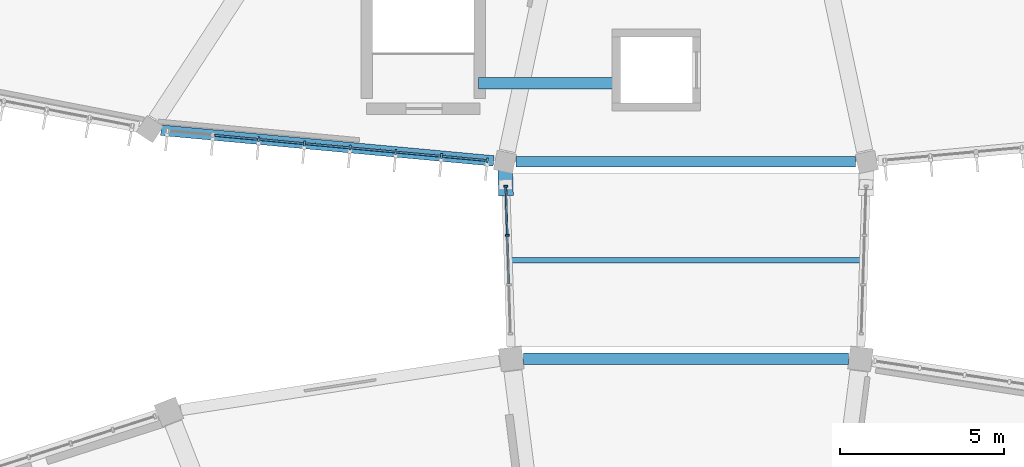
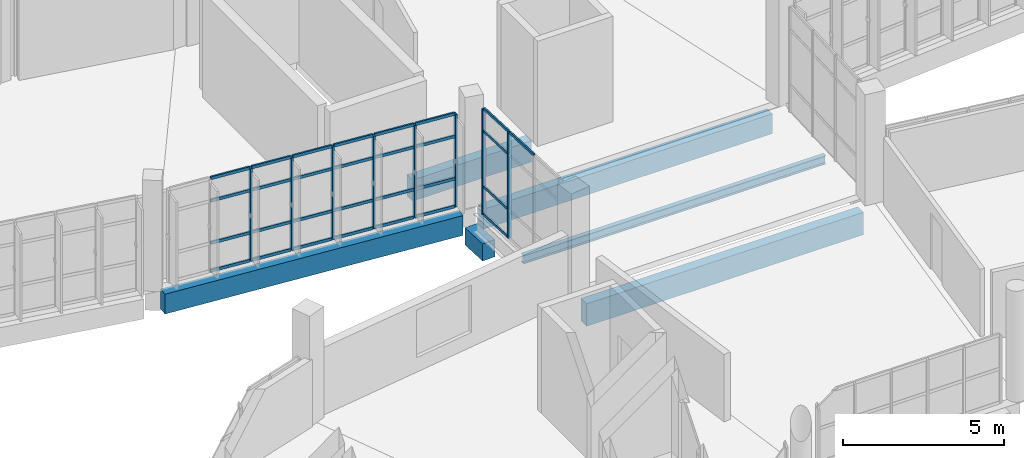
# One storey, part 31 of 142: 37 members, 6 beams, 2 elements without a shape of their own.
"""IFC4 building model written with IfcOpenShell, lengths in metres."""

import ifcopenshell
import ifcopenshell.guid

model = None  # the IFC model being written
_history = None  # IfcOwnerHistory: only IFC2X3 demands one
_inside = {}  # id of a spatial element -> (the spatial element, [elements in it])
_under = {}  # id of a project, library or spatial element -> (it, [spatial elements below it])
_declared = {}  # id of a project -> (the project, [libraries it declares])
_typed = {}  # id of a type object -> (the type object, [elements of that type])
_made_of = {}  # id of a material, layer set ... -> (it, [elements and type objects made of it])


def new_model(schema):
    """Start an empty IFC model of exactly this schema.

    Asked for "IFC4X3", IfcOpenShell would pick the latest addendum, in which some entities
    have other attributes; the version numbers below select the first issue.
    IFC2X3 requires an IfcOwnerHistory on every rooted entity: one is made here for all.
    """
    global model, _history
    if schema == "IFC4X3":
        model = ifcopenshell.file(schema_version=(4, 3, 0, 0))
    else:
        model = ifcopenshell.file(schema=schema)
    _inside.clear()
    _under.clear()
    _declared.clear()
    _typed.clear()
    _made_of.clear()
    _history = None
    if model.schema == "IFC2X3":
        org = make("IfcOrganization", Name="unknown")
        user = make(
            "IfcPersonAndOrganization",
            ThePerson=make("IfcPerson", FamilyName="unknown"),
            TheOrganization=org,
        )
        app = make(
            "IfcApplication",
            ApplicationDeveloper=org,
            Version="unknown",
            ApplicationFullName="unknown",
            ApplicationIdentifier="unknown",
        )
        _history = make(
            "IfcOwnerHistory",
            OwningUser=user,
            OwningApplication=app,
            ChangeAction="ADDED",
            CreationDate=0,
        )
    return model


def make(cls, **values):
    """One entity of the class cls with the attributes given. An attribute that is None is left unset."""
    return model.create_entity(
        cls, **{name: value for name, value in values.items() if value is not None}
    )


def rooted(cls, **values):
    """An entity with a GlobalId (a new one), such as an element, a storey or a relation."""
    return make(cls, GlobalId=ifcopenshell.guid.new(), OwnerHistory=_history, **values)


def si_unit(unit_type, name, prefix=None):
    """IfcSIUnit, for example si_unit("LENGTHUNIT", "METRE", prefix="MILLI")."""
    return make("IfcSIUnit", UnitType=unit_type, Prefix=prefix, Name=name)


def assignment(units):
    """IfcUnitAssignment: the units of a project."""
    return None if units is None else make("IfcUnitAssignment", Units=units)


def point(xyz):
    """IfcCartesianPoint."""
    return None if xyz is None else make("IfcCartesianPoint", Coordinates=xyz)


def direction(xyz):
    """IfcDirection."""
    return None if xyz is None else make("IfcDirection", DirectionRatios=xyz)


def frame(location, z_axis=None, x_axis=None):
    """IfcAxis2Placement3D, a coordinate frame: its origin and axes. An axis left out is left unset."""
    return make(
        "IfcAxis2Placement3D",
        Location=point(location),
        Axis=direction(z_axis),
        RefDirection=direction(x_axis),
    )


def frame_2d(location, x_axis=None):
    """IfcAxis2Placement2D, a coordinate frame in the plane: its origin and x axis."""
    return make(
        "IfcAxis2Placement2D", Location=point(location), RefDirection=direction(x_axis)
    )


def origin():
    """The frame at (0, 0, 0) with its axes left unset."""
    return frame((0.0, 0.0, 0.0))


def origin_2d():
    """The frame at (0, 0) in the plane with its x axis left unset."""
    return frame_2d((0.0, 0.0))


def place(relative_to, where):
    """IfcLocalPlacement: puts the frame where relative to a parent placement (None: the world)."""
    return make(
        "IfcLocalPlacement", PlacementRelTo=relative_to, RelativePlacement=where
    )


def context(
    kind, dimensions, precision=None, world=None, true_north=None, identifier=None
):
    """IfcGeometricRepresentationContext, for example the 3D "Model" context."""
    return make(
        "IfcGeometricRepresentationContext",
        ContextIdentifier=identifier,
        ContextType=kind,
        CoordinateSpaceDimension=dimensions,
        Precision=precision,
        WorldCoordinateSystem=world,
        TrueNorth=true_north,
    )


def subcontext(parent, identifier, kind, view, scale=None):
    """IfcGeometricRepresentationSubContext, for example "Body" below "Model"."""
    return make(
        "IfcGeometricRepresentationSubContext",
        ContextIdentifier=identifier,
        ContextType=kind,
        ParentContext=parent,
        TargetScale=scale,
        TargetView=view,
    )


def project(units=None, contexts=None):
    """IfcProject with its units and contexts."""
    return rooted(
        "IfcProject",
        Name="project",
        RepresentationContexts=contexts,
        UnitsInContext=assignment(units),
    )


def spatial(cls, under=None, at=None, **own):
    """A site, building, storey or space (cls), placed at a placement, below another one or the project."""
    s = rooted(cls, ObjectPlacement=at, **own)
    if under is not None:
        _under.setdefault(under.id(), (under, []))[1].append(s)
    return s


def profile(cls, at=None, kind="AREA", **sizes):
    """A parametric profile (cls). Its sizes go by their IFC names, for example OverallWidth=200.0."""
    return make(cls, ProfileType=kind, Position=at, **sizes)


def rectangle(**sizes):
    """IfcRectangleProfileDef."""
    return profile("IfcRectangleProfileDef", **sizes)


def i_section(**sizes):
    """IfcIShapeProfileDef."""
    return profile("IfcIShapeProfileDef", **sizes)


def extrude(swept, where, along, depth):
    """IfcExtrudedAreaSolid: the profile swept, set in the frame where, extruded along a direction by depth."""
    return make(
        "IfcExtrudedAreaSolid",
        SweptArea=swept,
        Position=where,
        ExtrudedDirection=direction(along),
        Depth=depth,
    )


def shape(context_of_items, identifier, shape_type, items):
    """IfcShapeRepresentation: the items that make up one representation, for example the "Body"."""
    return make(
        "IfcShapeRepresentation",
        ContextOfItems=context_of_items,
        RepresentationIdentifier=identifier,
        RepresentationType=shape_type,
        Items=items,
    )


def material(Name=None, Category=None):
    """IfcMaterial."""
    return make("IfcMaterial", Name=Name, Category=Category)


def layer(
    of_material, thickness, ventilated=None, Name=None, Category=None, Priority=None
):
    """IfcMaterialLayer: one layer of a wall or slab, of a material (None: an air gap)."""
    return make(
        "IfcMaterialLayer",
        Material=of_material,
        LayerThickness=thickness,
        IsVentilated=ventilated,
        Name=Name,
        Category=Category,
        Priority=Priority,
    )


def layer_set(layers, Name=None):
    """IfcMaterialLayerSet."""
    return make("IfcMaterialLayerSet", MaterialLayers=layers, LayerSetName=Name)


def material_profile(
    of_material, cross_section, Name=None, Category=None, Priority=None
):
    """IfcMaterialProfile: a cross section and its material."""
    return make(
        "IfcMaterialProfile",
        Name=Name,
        Material=of_material,
        Profile=cross_section,
        Priority=Priority,
        Category=Category,
    )


def profile_set(profiles, Name=None, composite=None):
    """IfcMaterialProfileSet."""
    return make(
        "IfcMaterialProfileSet",
        Name=Name,
        MaterialProfiles=profiles,
        CompositeProfile=composite,
    )


def made_of(thing, what):
    """Note that an element or type object is made of a material, layer set ...; save() writes the relation."""
    if what is not None:
        _made_of.setdefault(what.id(), (what, []))[1].append(thing)
    return thing


def type_object(cls, material=None, **own):
    """A type object (cls), such as IfcWallType, which elements share."""
    return made_of(rooted(cls, **own), material)


def element(
    cls,
    number,
    at=None,
    inside=None,
    cuts=None,
    type_object=None,
    material=None,
    context=None,
    identifier="Body",
    shape_type=None,
    held_by="IfcProductDefinitionShape",
    body=None,
    shapes=None,
    **own,
):
    """One element of the class cls, such as IfcWall. Its Tag is "e" and its number.

    at: its placement. inside: the storey or other place that contains it. cuts: it is an
    opening in that element (IfcRelVoidsElement). A single representation is given by context,
    identifier, shape_type and body (its items); several are given by shapes. held_by: the class
    of the entity that holds the representations. save() writes the other relations.
    """
    e = rooted(cls, Tag="e%d" % number, ObjectPlacement=at, **own)
    if body is not None:
        shapes = [shape(context, identifier, shape_type, body)]
    if shapes is not None:
        e.Representation = make(held_by, Representations=shapes)
    if inside is not None:
        _inside.setdefault(inside.id(), (inside, []))[1].append(e)
    if cuts is not None:
        rooted(
            "IfcRelVoidsElement", RelatingBuildingElement=cuts, RelatedOpeningElement=e
        )
    if type_object is not None:
        _typed.setdefault(type_object.id(), (type_object, []))[1].append(e)
    return made_of(e, material)


def aggregate(whole, parts):
    """IfcRelAggregates: a whole, such as a stair, and the parts it consists of."""
    return rooted("IfcRelAggregates", RelatingObject=whole, RelatedObjects=parts)


def save(model, path):
    """Write the relations noted so far, then the file.

    IfcRelAggregates (storeys below a building ...), IfcRelContainedInSpatialStructure (elements
    in a storey), IfcRelDefinesByType, IfcRelAssociatesMaterial and IfcRelDeclares: one each for
    every whole, place, type object, material and project.
    """
    for whole, parts in _under.values():
        aggregate(whole, parts)
    for where, things in _inside.values():
        rooted(
            "IfcRelContainedInSpatialStructure",
            RelatedElements=things,
            RelatingStructure=where,
        )
    for kind, things in _typed.values():
        rooted("IfcRelDefinesByType", RelatedObjects=things, RelatingType=kind)
    for what, things in _made_of.values():
        rooted("IfcRelAssociatesMaterial", RelatedObjects=things, RelatingMaterial=what)
    for by, libraries in _declared.values():
        rooted("IfcRelDeclares", RelatingContext=by, RelatedDefinitions=libraries)
    model.write(path)


model = new_model("IFC4")

# Units and contexts
model_context = context("Model", 3, precision=1e-05, world=origin(), true_north=direction((0.0, 1.0)))
body_context = subcontext(model_context, "Body", "Model", "MODEL_VIEW")
ifc_project = project(units=[si_unit("LENGTHUNIT", "METRE"), si_unit("AREAUNIT", "SQUARE_METRE"), si_unit("VOLUMEUNIT", "CUBIC_METRE"), si_unit("PLANEANGLEUNIT", "RADIAN"), si_unit("MASSUNIT", "GRAM", prefix="KILO")], contexts=[model_context])

# Site, building, storey
site_placement = place(None, origin())
site = spatial("IfcSite", under=ifc_project, at=site_placement, CompositionType="ELEMENT")
building_placement = place(site_placement, origin())
building = spatial("IfcBuilding", under=site, at=building_placement, Name="Corvandel Quay Wholesale Market", CompositionType="ELEMENT")
storey_placement = place(building_placement, frame((0.0, 0.0, 10.800048828125)))
storey = spatial("IfcBuildingStorey", under=building, at=storey_placement, Name="L02", CompositionType="ELEMENT", Elevation=10.800048828125)

# Beam
ifc_material_1 = material(Name="Steel A992 Grade 50", Category="steel")
ifc_material_profile_1 = material_profile(ifc_material_1, i_section(OverallWidth=0.1669921875, OverallDepth=0.318115234375, WebThickness=0.007568359375, FlangeThickness=0.01318359375, at=origin_2d()), Name="W12X35")
ifc_profile_set_1 = profile_set([ifc_material_profile_1], Name="Steel A992 Grade 50")
beam_type_1 = type_object("IfcBeamType", Name="Bridge Floor Steel Beam SB02 W12X35", PredefinedType="BEAM", material=ifc_profile_set_1)
beam_1_placement = place(storey_placement, frame((108.592041015625, 87.012451171875, -0.380126953125), z_axis=(1.0, 0.0, 0.0), x_axis=(0.0, 1.0, 0.0)))
element("IfcBeam", 1, at=beam_1_placement, inside=storey, type_object=beam_type_1, Name="Beam BM-1770", PredefinedType="BEAM", context=body_context, shape_type="SweptSolid", body=[
    extrude(i_section(OverallWidth=0.1669921875, OverallDepth=0.318115234375, WebThickness=0.007568359375, FlangeThickness=0.01318359375, at=origin_2d()), origin(), (0.0, 0.0, 1.0), 10.81591796875),
])

# Curtain wall, members
ifc_material_2 = material(Name="Bronze anodised aluminium and low-E insulated glazing", Category="aluminium")
ifc_layer_1 = layer(ifc_material_2, 0.18603515625)
ifc_layer_set_1 = layer_set([ifc_layer_1], Name="Bronze anodised aluminium and low-E insulated glazing")
curtain_wall_type_1 = type_object("IfcCurtainWallType", Name="Stick Curtain Wall System CW23 H5070", PredefinedType="NOTDEFINED", material=ifc_layer_set_1)
curtain_wall_1_placement = place(storey_placement, origin())
curtain_wall_1 = element("IfcCurtainWall", 2, at=curtain_wall_1_placement, inside=storey, type_object=curtain_wall_type_1, Name="Curtain Wall CW-0170", PredefinedType="NOTDEFINED")
ifc_material_3 = material(Name="Anodised aluminium 6063-T6", Category="aluminium")
ifc_material_profile_2 = material_profile(ifc_material_3, rectangle(XDim=0.06005859375, YDim=0.1298828125, at=origin_2d()), Name="ALU-MUL-60x130")
ifc_profile_set_2 = profile_set([ifc_material_profile_2], Name="Anodised aluminium 6063-T6")
member_type_1 = type_object("IfcMemberType", Name="Clerestory Mullion ML03 60x130", PredefinedType="MULLION", material=ifc_profile_set_2)
member_1_placement = place(storey_placement, frame((108.5576171875, 87.76171875, -0.030029296875), z_axis=(0.0, 0.0, 1.0), x_axis=(-0.032806302436, 0.999461728392, 0.0)))
member_1 = element("IfcMember", 3, at=member_1_placement, type_object=member_type_1, Name="Mullion CW-0170-M02", PredefinedType="MULLION", context=body_context, shape_type="SweptSolid", body=[
    extrude(rectangle(XDim=0.06005859375, YDim=0.1298828125, at=origin_2d()), origin(), (0.0, 0.0, 1.0), 4.0),
])
member_2_placement = place(storey_placement, frame((108.50830078125, 89.260498046875, -0.030029296875), z_axis=(0.0, 0.0, 1.0), x_axis=(-0.032806302436, 0.999461728392, 0.0)))
member_2 = element("IfcMember", 4, at=member_2_placement, type_object=member_type_1, Name="Mullion CW-0170-M03", PredefinedType="MULLION", context=body_context, shape_type="SweptSolid", body=[
    extrude(rectangle(XDim=0.06005859375, YDim=0.1298828125, at=origin_2d()), origin(), (0.0, 0.0, 1.0), 4.0),
])
ifc_material_profile_3 = material_profile(ifc_material_3, rectangle(XDim=0.054931640625, YDim=0.094970703125, at=origin_2d()), Name="ALU-TRN-55x95")
ifc_profile_set_3 = profile_set([ifc_material_profile_3], Name="Anodised aluminium 6063-T6")
member_type_2 = type_object("IfcMemberType", Name="Clerestory Transom TR03 55x95", PredefinedType="USERDEFINED", material=ifc_profile_set_3)
member_3_placement = place(storey_placement, frame((108.605712890625, 86.293212890625, 3.969970703125), z_axis=(-0.032738720515, 0.999463944412, 0.0), x_axis=(-0.999463944412, -0.032738720515, 0.0)))
member_3 = element("IfcMember", 5, at=member_3_placement, type_object=member_type_2, Name="Transom CW-0170-T01-3", ObjectType="TRANSOM", PredefinedType="USERDEFINED", context=body_context, shape_type="SweptSolid", body=[
    extrude(rectangle(XDim=0.054931640625, YDim=0.094970703125, at=origin_2d()), origin(), (0.0, 0.0, 1.0), 1.439208984375),
])
member_4_placement = place(storey_placement, frame((108.556396484375, 87.791748046875, -0.030029296875), z_axis=(-0.032733170941, 0.99946412618, 0.0), x_axis=(-0.99946412618, -0.032733170941, 0.0)))
member_4 = element("IfcMember", 6, at=member_4_placement, type_object=member_type_2, Name="Transom CW-0170-T02-0", ObjectType="TRANSOM", PredefinedType="USERDEFINED", context=body_context, shape_type="SweptSolid", body=[
    extrude(rectangle(XDim=0.054931640625, YDim=0.094970703125, at=origin_2d()), origin(), (0.0, 0.0, 1.0), 1.439453125),
])
member_5_placement = place(storey_placement, frame((108.556396484375, 87.791748046875, 1.02001953125), z_axis=(-0.032733170941, 0.99946412618, 0.0), x_axis=(-0.99946412618, -0.032733170941, 0.0)))
member_5 = element("IfcMember", 7, at=member_5_placement, type_object=member_type_2, Name="Transom CW-0170-T02-1", ObjectType="TRANSOM", PredefinedType="USERDEFINED", context=body_context, shape_type="SweptSolid", body=[
    extrude(rectangle(XDim=0.054931640625, YDim=0.094970703125, at=origin_2d()), origin(), (0.0, 0.0, 1.0), 1.439453125),
])
member_6_placement = place(storey_placement, frame((108.556396484375, 87.791748046875, 3.119873046875), z_axis=(-0.032733170941, 0.99946412618, 0.0), x_axis=(-0.99946412618, -0.032733170941, 0.0)))
member_6 = element("IfcMember", 8, at=member_6_placement, type_object=member_type_2, Name="Transom CW-0170-T02-2", ObjectType="TRANSOM", PredefinedType="USERDEFINED", context=body_context, shape_type="SweptSolid", body=[
    extrude(rectangle(XDim=0.054931640625, YDim=0.094970703125, at=origin_2d()), origin(), (0.0, 0.0, 1.0), 1.439453125),
])
member_7_placement = place(storey_placement, frame((108.556396484375, 87.791748046875, 3.969970703125), z_axis=(-0.032733170941, 0.99946412618, 0.0), x_axis=(-0.99946412618, -0.032733170941, 0.0)))
member_7 = element("IfcMember", 9, at=member_7_placement, type_object=member_type_2, Name="Transom CW-0170-T02-3", ObjectType="TRANSOM", PredefinedType="USERDEFINED", context=body_context, shape_type="SweptSolid", body=[
    extrude(rectangle(XDim=0.054931640625, YDim=0.094970703125, at=origin_2d()), origin(), (0.0, 0.0, 1.0), 1.439453125),
])
aggregate(curtain_wall_1, [member_1, member_2, member_3, member_4, member_5, member_6, member_7])

# Beam
ifc_material_4 = material(Name="Concrete C40/50", Category="concrete")
ifc_material_profile_4 = material_profile(ifc_material_4, rectangle(XDim=0.35009765625, YDim=0.800048828125, at=origin_2d()), Name="RC-CPL-350x800")
ifc_profile_set_4 = profile_set([ifc_material_profile_4], Name="Concrete C40/50")
beam_type_2 = type_object("IfcBeamType", Name="Core Shear Wall Coupling Beam CP01 350x800", PredefinedType="BEAM", material=ifc_profile_set_4)
beam_2_placement = place(storey_placement, frame((107.675048828125, 92.39990234375, -0.650146484375), z_axis=(1.0, 0.0, 0.0), x_axis=(0.0, 1.0, 0.0)))
element("IfcBeam", 10, at=beam_2_placement, inside=storey, type_object=beam_type_2, Name="Core Coupling Beam K2-L02", PredefinedType="BEAM", context=body_context, shape_type="SweptSolid", body=[
    extrude(rectangle(XDim=0.35009765625, YDim=0.800048828125, at=origin_2d()), origin(), (0.0, 0.0, 1.0), 4.25),
])

# Curtain wall, members
ifc_layer_2 = layer(ifc_material_2, 0.14990234375)
ifc_layer_set_2 = layer_set([ifc_layer_2], Name="Bronze anodised aluminium and low-E insulated glazing")
curtain_wall_type_2 = type_object("IfcCurtainWallType", Name="Stick Curtain Wall System CW05 H3450", PredefinedType="NOTDEFINED", material=ifc_layer_set_2)
curtain_wall_2_placement = place(storey_placement, origin())
curtain_wall_2 = element("IfcCurtainWall", 11, at=curtain_wall_2_placement, inside=storey, type_object=curtain_wall_type_2, Name="Curtain Wall CW-0113", PredefinedType="NOTDEFINED")
ifc_material_profile_5 = material_profile(ifc_material_3, rectangle(XDim=0.06494140625, YDim=0.14990234375, at=origin_2d()), Name="ALU-MUL-65x150")
ifc_profile_set_5 = profile_set([ifc_material_profile_5], Name="Anodised aluminium 6063-T6")
member_type_3 = type_object("IfcMemberType", Name="Curtain Wall Mullion ML02 65x150", PredefinedType="MULLION", material=ifc_profile_set_5)
member_8_placement = place(storey_placement, frame((100.986572265625, 90.6923828125, 0.0), z_axis=(0.0, 0.0, 1.0), x_axis=(-0.995756880939, 0.092023008338, 0.0)))
member_8 = element("IfcMember", 12, at=member_8_placement, type_object=member_type_3, Name="Mullion CW-0113-M02", PredefinedType="MULLION", context=body_context, shape_type="SweptSolid", body=[
    extrude(rectangle(XDim=0.06494140625, YDim=0.14990234375, at=origin_2d()), origin(), (0.0, 0.0, 1.0), 3.5),
])
member_9_placement = place(storey_placement, frame((102.37841796875, 90.563720703125, 0.0), z_axis=(0.0, 0.0, 1.0), x_axis=(-0.995756880939, 0.092023008338, 0.0)))
member_9 = element("IfcMember", 13, at=member_9_placement, type_object=member_type_3, Name="Mullion CW-0113-M03", PredefinedType="MULLION", context=body_context, shape_type="SweptSolid", body=[
    extrude(rectangle(XDim=0.06494140625, YDim=0.14990234375, at=origin_2d()), origin(), (0.0, 0.0, 1.0), 3.5),
])
member_10_placement = place(storey_placement, frame((103.7705078125, 90.435302734375, 0.0), z_axis=(0.0, 0.0, 1.0), x_axis=(-0.995756880939, 0.092023008338, 0.0)))
member_10 = element("IfcMember", 14, at=member_10_placement, type_object=member_type_3, Name="Mullion CW-0113-M04", PredefinedType="MULLION", context=body_context, shape_type="SweptSolid", body=[
    extrude(rectangle(XDim=0.06494140625, YDim=0.14990234375, at=origin_2d()), origin(), (0.0, 0.0, 1.0), 3.5),
])
member_11_placement = place(storey_placement, frame((105.162353515625, 90.306640625, 0.0), z_axis=(0.0, 0.0, 1.0), x_axis=(-0.995756880939, 0.092023008338, 0.0)))
member_11 = element("IfcMember", 15, at=member_11_placement, type_object=member_type_3, Name="Mullion CW-0113-M05", PredefinedType="MULLION", context=body_context, shape_type="SweptSolid", body=[
    extrude(rectangle(XDim=0.06494140625, YDim=0.14990234375, at=origin_2d()), origin(), (0.0, 0.0, 1.0), 3.5),
])
member_12_placement = place(storey_placement, frame((106.554443359375, 90.17822265625, 0.0), z_axis=(0.0, 0.0, 1.0), x_axis=(-0.995756880939, 0.092023008338, 0.0)))
member_12 = element("IfcMember", 16, at=member_12_placement, type_object=member_type_3, Name="Mullion CW-0113-M06", PredefinedType="MULLION", context=body_context, shape_type="SweptSolid", body=[
    extrude(rectangle(XDim=0.06494140625, YDim=0.14990234375, at=origin_2d()), origin(), (0.0, 0.0, 1.0), 3.5),
])
member_13_placement = place(storey_placement, frame((107.9462890625, 90.0498046875, 0.0), z_axis=(0.0, 0.0, 1.0), x_axis=(-0.995756880939, 0.092023008338, 0.0)))
member_13 = element("IfcMember", 17, at=member_13_placement, type_object=member_type_3, Name="Mullion CW-0113-M07", PredefinedType="MULLION", context=body_context, shape_type="SweptSolid", body=[
    extrude(rectangle(XDim=0.06494140625, YDim=0.14990234375, at=origin_2d()), origin(), (0.0, 0.0, 1.0), 3.5),
])
ifc_material_profile_6 = material_profile(ifc_material_3, rectangle(XDim=0.06005859375, YDim=0.110107421875, at=origin_2d()), Name="ALU-TRN-60x110")
ifc_profile_set_6 = profile_set([ifc_material_profile_6], Name="Anodised aluminium 6063-T6")
member_type_4 = type_object("IfcMemberType", Name="Curtain Wall Transom TR02 60x110", PredefinedType="USERDEFINED", material=ifc_profile_set_6)
member_14_placement = place(storey_placement, frame((99.626953125, 90.81787109375, 0.0), z_axis=(0.99576306711, -0.091956044829, 0.0), x_axis=(0.091956044829, 0.99576306711, 0.0)))
member_14 = element("IfcMember", 18, at=member_14_placement, type_object=member_type_4, Name="Transom CW-0113-T01-0", ObjectType="TRANSOM", PredefinedType="USERDEFINED", context=body_context, shape_type="SweptSolid", body=[
    extrude(rectangle(XDim=0.06005859375, YDim=0.110107421875, at=origin_2d()), origin(), (0.0, 0.0, 1.0), 1.332763671875),
])
member_15_placement = place(storey_placement, frame((99.626953125, 90.81787109375, 1.050048828125), z_axis=(0.99576306711, -0.091956044829, 0.0), x_axis=(0.091956044829, 0.99576306711, 0.0)))
member_15 = element("IfcMember", 19, at=member_15_placement, type_object=member_type_4, Name="Transom CW-0113-T01-1", ObjectType="TRANSOM", PredefinedType="USERDEFINED", context=body_context, shape_type="SweptSolid", body=[
    extrude(rectangle(XDim=0.06005859375, YDim=0.110107421875, at=origin_2d()), origin(), (0.0, 0.0, 1.0), 1.332763671875),
])
member_16_placement = place(storey_placement, frame((99.626953125, 90.81787109375, 2.64990234375), z_axis=(0.99576306711, -0.091956044829, 0.0), x_axis=(0.091956044829, 0.99576306711, 0.0)))
member_16 = element("IfcMember", 20, at=member_16_placement, type_object=member_type_4, Name="Transom CW-0113-T01-2", ObjectType="TRANSOM", PredefinedType="USERDEFINED", context=body_context, shape_type="SweptSolid", body=[
    extrude(rectangle(XDim=0.06005859375, YDim=0.110107421875, at=origin_2d()), origin(), (0.0, 0.0, 1.0), 1.332763671875),
])
member_17_placement = place(storey_placement, frame((99.626953125, 90.81787109375, 3.5), z_axis=(0.99576306711, -0.091956044829, 0.0), x_axis=(0.091956044829, 0.99576306711, 0.0)))
member_17 = element("IfcMember", 21, at=member_17_placement, type_object=member_type_4, Name="Transom CW-0113-T01-3", ObjectType="TRANSOM", PredefinedType="USERDEFINED", context=body_context, shape_type="SweptSolid", body=[
    extrude(rectangle(XDim=0.06005859375, YDim=0.110107421875, at=origin_2d()), origin(), (0.0, 0.0, 1.0), 1.332763671875),
])
member_18_placement = place(storey_placement, frame((101.018798828125, 90.689208984375, 0.0), z_axis=(0.995764615635, -0.091939274793, 0.0), x_axis=(0.091939274793, 0.995764615635, 0.0)))
member_18 = element("IfcMember", 22, at=member_18_placement, type_object=member_type_4, Name="Transom CW-0113-T02-0", ObjectType="TRANSOM", PredefinedType="USERDEFINED", context=body_context, shape_type="SweptSolid", body=[
    extrude(rectangle(XDim=0.06005859375, YDim=0.110107421875, at=origin_2d()), origin(), (0.0, 0.0, 1.0), 1.3330078125),
])
member_19_placement = place(storey_placement, frame((101.018798828125, 90.689208984375, 1.050048828125), z_axis=(0.995764615635, -0.091939274793, 0.0), x_axis=(0.091939274793, 0.995764615635, 0.0)))
member_19 = element("IfcMember", 23, at=member_19_placement, type_object=member_type_4, Name="Transom CW-0113-T02-1", ObjectType="TRANSOM", PredefinedType="USERDEFINED", context=body_context, shape_type="SweptSolid", body=[
    extrude(rectangle(XDim=0.06005859375, YDim=0.110107421875, at=origin_2d()), origin(), (0.0, 0.0, 1.0), 1.3330078125),
])
member_20_placement = place(storey_placement, frame((101.018798828125, 90.689208984375, 2.64990234375), z_axis=(0.995764615635, -0.091939274793, 0.0), x_axis=(0.091939274793, 0.995764615635, 0.0)))
member_20 = element("IfcMember", 24, at=member_20_placement, type_object=member_type_4, Name="Transom CW-0113-T02-2", ObjectType="TRANSOM", PredefinedType="USERDEFINED", context=body_context, shape_type="SweptSolid", body=[
    extrude(rectangle(XDim=0.06005859375, YDim=0.110107421875, at=origin_2d()), origin(), (0.0, 0.0, 1.0), 1.3330078125),
])
member_21_placement = place(storey_placement, frame((101.018798828125, 90.689208984375, 3.5), z_axis=(0.995764615635, -0.091939274793, 0.0), x_axis=(0.091939274793, 0.995764615635, 0.0)))
member_21 = element("IfcMember", 25, at=member_21_placement, type_object=member_type_4, Name="Transom CW-0113-T02-3", ObjectType="TRANSOM", PredefinedType="USERDEFINED", context=body_context, shape_type="SweptSolid", body=[
    extrude(rectangle(XDim=0.06005859375, YDim=0.110107421875, at=origin_2d()), origin(), (0.0, 0.0, 1.0), 1.3330078125),
])
member_22_placement = place(storey_placement, frame((102.410888671875, 90.560791015625, 0.0), z_axis=(0.99576306711, -0.091956044829, 0.0), x_axis=(0.091956044829, 0.99576306711, 0.0)))
member_22 = element("IfcMember", 26, at=member_22_placement, type_object=member_type_4, Name="Transom CW-0113-T03-0", ObjectType="TRANSOM", PredefinedType="USERDEFINED", context=body_context, shape_type="SweptSolid", body=[
    extrude(rectangle(XDim=0.06005859375, YDim=0.110107421875, at=origin_2d()), origin(), (0.0, 0.0, 1.0), 1.332763671875),
])
member_23_placement = place(storey_placement, frame((102.410888671875, 90.560791015625, 1.050048828125), z_axis=(0.99576306711, -0.091956044829, 0.0), x_axis=(0.091956044829, 0.99576306711, 0.0)))
member_23 = element("IfcMember", 27, at=member_23_placement, type_object=member_type_4, Name="Transom CW-0113-T03-1", ObjectType="TRANSOM", PredefinedType="USERDEFINED", context=body_context, shape_type="SweptSolid", body=[
    extrude(rectangle(XDim=0.06005859375, YDim=0.110107421875, at=origin_2d()), origin(), (0.0, 0.0, 1.0), 1.332763671875),
])
member_24_placement = place(storey_placement, frame((102.410888671875, 90.560791015625, 2.64990234375), z_axis=(0.99576306711, -0.091956044829, 0.0), x_axis=(0.091956044829, 0.99576306711, 0.0)))
member_24 = element("IfcMember", 28, at=member_24_placement, type_object=member_type_4, Name="Transom CW-0113-T03-2", ObjectType="TRANSOM", PredefinedType="USERDEFINED", context=body_context, shape_type="SweptSolid", body=[
    extrude(rectangle(XDim=0.06005859375, YDim=0.110107421875, at=origin_2d()), origin(), (0.0, 0.0, 1.0), 1.332763671875),
])
member_25_placement = place(storey_placement, frame((102.410888671875, 90.560791015625, 3.5), z_axis=(0.99576306711, -0.091956044829, 0.0), x_axis=(0.091956044829, 0.99576306711, 0.0)))
member_25 = element("IfcMember", 29, at=member_25_placement, type_object=member_type_4, Name="Transom CW-0113-T03-3", ObjectType="TRANSOM", PredefinedType="USERDEFINED", context=body_context, shape_type="SweptSolid", body=[
    extrude(rectangle(XDim=0.06005859375, YDim=0.110107421875, at=origin_2d()), origin(), (0.0, 0.0, 1.0), 1.332763671875),
])
member_26_placement = place(storey_placement, frame((103.802734375, 90.432373046875, 0.0), z_axis=(0.995764615635, -0.091939274793, 0.0), x_axis=(0.091939274793, 0.995764615635, 0.0)))
member_26 = element("IfcMember", 30, at=member_26_placement, type_object=member_type_4, Name="Transom CW-0113-T04-0", ObjectType="TRANSOM", PredefinedType="USERDEFINED", context=body_context, shape_type="SweptSolid", body=[
    extrude(rectangle(XDim=0.06005859375, YDim=0.110107421875, at=origin_2d()), origin(), (0.0, 0.0, 1.0), 1.3330078125),
])
member_27_placement = place(storey_placement, frame((103.802734375, 90.432373046875, 1.050048828125), z_axis=(0.995764615635, -0.091939274793, 0.0), x_axis=(0.091939274793, 0.995764615635, 0.0)))
member_27 = element("IfcMember", 31, at=member_27_placement, type_object=member_type_4, Name="Transom CW-0113-T04-1", ObjectType="TRANSOM", PredefinedType="USERDEFINED", context=body_context, shape_type="SweptSolid", body=[
    extrude(rectangle(XDim=0.06005859375, YDim=0.110107421875, at=origin_2d()), origin(), (0.0, 0.0, 1.0), 1.3330078125),
])
member_28_placement = place(storey_placement, frame((103.802734375, 90.432373046875, 2.64990234375), z_axis=(0.995764615635, -0.091939274793, 0.0), x_axis=(0.091939274793, 0.995764615635, 0.0)))
member_28 = element("IfcMember", 32, at=member_28_placement, type_object=member_type_4, Name="Transom CW-0113-T04-2", ObjectType="TRANSOM", PredefinedType="USERDEFINED", context=body_context, shape_type="SweptSolid", body=[
    extrude(rectangle(XDim=0.06005859375, YDim=0.110107421875, at=origin_2d()), origin(), (0.0, 0.0, 1.0), 1.3330078125),
])
member_29_placement = place(storey_placement, frame((103.802734375, 90.432373046875, 3.5), z_axis=(0.995764615635, -0.091939274793, 0.0), x_axis=(0.091939274793, 0.995764615635, 0.0)))
member_29 = element("IfcMember", 33, at=member_29_placement, type_object=member_type_4, Name="Transom CW-0113-T04-3", ObjectType="TRANSOM", PredefinedType="USERDEFINED", context=body_context, shape_type="SweptSolid", body=[
    extrude(rectangle(XDim=0.06005859375, YDim=0.110107421875, at=origin_2d()), origin(), (0.0, 0.0, 1.0), 1.3330078125),
])
member_30_placement = place(storey_placement, frame((105.19482421875, 90.3037109375, 0.0), z_axis=(0.99576306711, -0.091956044829, 0.0), x_axis=(0.091956044829, 0.99576306711, 0.0)))
member_30 = element("IfcMember", 34, at=member_30_placement, type_object=member_type_4, Name="Transom CW-0113-T05-0", ObjectType="TRANSOM", PredefinedType="USERDEFINED", context=body_context, shape_type="SweptSolid", body=[
    extrude(rectangle(XDim=0.06005859375, YDim=0.110107421875, at=origin_2d()), origin(), (0.0, 0.0, 1.0), 1.332763671875),
])
member_31_placement = place(storey_placement, frame((105.19482421875, 90.3037109375, 1.050048828125), z_axis=(0.99576306711, -0.091956044829, 0.0), x_axis=(0.091956044829, 0.99576306711, 0.0)))
member_31 = element("IfcMember", 35, at=member_31_placement, type_object=member_type_4, Name="Transom CW-0113-T05-1", ObjectType="TRANSOM", PredefinedType="USERDEFINED", context=body_context, shape_type="SweptSolid", body=[
    extrude(rectangle(XDim=0.06005859375, YDim=0.110107421875, at=origin_2d()), origin(), (0.0, 0.0, 1.0), 1.332763671875),
])
member_32_placement = place(storey_placement, frame((105.19482421875, 90.3037109375, 2.64990234375), z_axis=(0.99576306711, -0.091956044829, 0.0), x_axis=(0.091956044829, 0.99576306711, 0.0)))
member_32 = element("IfcMember", 36, at=member_32_placement, type_object=member_type_4, Name="Transom CW-0113-T05-2", ObjectType="TRANSOM", PredefinedType="USERDEFINED", context=body_context, shape_type="SweptSolid", body=[
    extrude(rectangle(XDim=0.06005859375, YDim=0.110107421875, at=origin_2d()), origin(), (0.0, 0.0, 1.0), 1.332763671875),
])
member_33_placement = place(storey_placement, frame((105.19482421875, 90.3037109375, 3.5), z_axis=(0.99576306711, -0.091956044829, 0.0), x_axis=(0.091956044829, 0.99576306711, 0.0)))
member_33 = element("IfcMember", 37, at=member_33_placement, type_object=member_type_4, Name="Transom CW-0113-T05-3", ObjectType="TRANSOM", PredefinedType="USERDEFINED", context=body_context, shape_type="SweptSolid", body=[
    extrude(rectangle(XDim=0.06005859375, YDim=0.110107421875, at=origin_2d()), origin(), (0.0, 0.0, 1.0), 1.332763671875),
])
member_34_placement = place(storey_placement, frame((106.586669921875, 90.17529296875, 0.0), z_axis=(0.99576306711, -0.091956044829, 0.0), x_axis=(0.091956044829, 0.99576306711, 0.0)))
member_34 = element("IfcMember", 38, at=member_34_placement, type_object=member_type_4, Name="Transom CW-0113-T06-0", ObjectType="TRANSOM", PredefinedType="USERDEFINED", context=body_context, shape_type="SweptSolid", body=[
    extrude(rectangle(XDim=0.06005859375, YDim=0.110107421875, at=origin_2d()), origin(), (0.0, 0.0, 1.0), 1.332763671875),
])
member_35_placement = place(storey_placement, frame((106.586669921875, 90.17529296875, 1.050048828125), z_axis=(0.99576306711, -0.091956044829, 0.0), x_axis=(0.091956044829, 0.99576306711, 0.0)))
member_35 = element("IfcMember", 39, at=member_35_placement, type_object=member_type_4, Name="Transom CW-0113-T06-1", ObjectType="TRANSOM", PredefinedType="USERDEFINED", context=body_context, shape_type="SweptSolid", body=[
    extrude(rectangle(XDim=0.06005859375, YDim=0.110107421875, at=origin_2d()), origin(), (0.0, 0.0, 1.0), 1.332763671875),
])
member_36_placement = place(storey_placement, frame((106.586669921875, 90.17529296875, 2.64990234375), z_axis=(0.99576306711, -0.091956044829, 0.0), x_axis=(0.091956044829, 0.99576306711, 0.0)))
member_36 = element("IfcMember", 40, at=member_36_placement, type_object=member_type_4, Name="Transom CW-0113-T06-2", ObjectType="TRANSOM", PredefinedType="USERDEFINED", context=body_context, shape_type="SweptSolid", body=[
    extrude(rectangle(XDim=0.06005859375, YDim=0.110107421875, at=origin_2d()), origin(), (0.0, 0.0, 1.0), 1.332763671875),
])
member_37_placement = place(storey_placement, frame((106.586669921875, 90.17529296875, 3.5), z_axis=(0.99576306711, -0.091956044829, 0.0), x_axis=(0.091956044829, 0.99576306711, 0.0)))
member_37 = element("IfcMember", 41, at=member_37_placement, type_object=member_type_4, Name="Transom CW-0113-T06-3", ObjectType="TRANSOM", PredefinedType="USERDEFINED", context=body_context, shape_type="SweptSolid", body=[
    extrude(rectangle(XDim=0.06005859375, YDim=0.110107421875, at=origin_2d()), origin(), (0.0, 0.0, 1.0), 1.332763671875),
])
aggregate(curtain_wall_2, [member_8, member_9, member_10, member_11, member_12, member_13, member_14, member_15, member_16, member_17, member_18, member_19, member_20, member_21, member_22, member_23, member_24, member_25, member_26, member_27, member_28, member_29, member_30, member_31, member_32, member_33, member_34, member_35, member_36, member_37])

# Beams
ifc_material_5 = material(Name="Precast concrete C45/55", Category="concrete")
ifc_material_profile_7 = material_profile(ifc_material_5, rectangle(XDim=0.320068359375, YDim=0.75, at=origin_2d()), Name="PC-SPN-320x750")
ifc_profile_set_7 = profile_set([ifc_material_profile_7], Name="Precast concrete C45/55")
beam_type_3 = type_object("IfcBeamType", Name="Pavilion Precast Spandrel SP02 320x750", PredefinedType="SPANDREL", material=ifc_profile_set_7)
beam_3_placement = place(storey_placement, frame((98.008544921875, 90.96728515625, -0.695068359375), z_axis=(0.995763975637, -0.091946206136, 0.0), x_axis=(0.091946206136, 0.995763975637, 0.0)))
element("IfcBeam", 42, at=beam_3_placement, inside=storey, type_object=beam_type_3, Name="Beam BM-0680", PredefinedType="SPANDREL", context=body_context, shape_type="SweptSolid", body=[
    extrude(rectangle(XDim=0.320068359375, YDim=0.75, at=origin_2d()), origin(), (0.0, 0.0, 1.0), 10.175048828125),
])
beam_4_placement = place(storey_placement, frame((108.8291015625, 90.0, -0.695068359375), z_axis=(1.0, 0.0, 0.0), x_axis=(0.0, 1.0, 0.0)))
element("IfcBeam", 43, at=beam_4_placement, inside=storey, type_object=beam_type_3, Name="Beam BM-0689", PredefinedType="SPANDREL", context=body_context, shape_type="SweptSolid", body=[
    extrude(rectangle(XDim=0.320068359375, YDim=0.75, at=origin_2d()), origin(), (0.0, 0.0, 1.0), 10.341796875),
])
ifc_material_profile_8 = material_profile(ifc_material_5, rectangle(XDim=0.35009765625, YDim=0.85009765625, at=origin_2d()), Name="PC-SPN-350x850")
ifc_profile_set_8 = profile_set([ifc_material_profile_8], Name="Precast concrete C45/55")
beam_type_4 = type_object("IfcBeamType", Name="Perimeter Precast Spandrel SP01 350x850", PredefinedType="SPANDREL", material=ifc_profile_set_8)
beam_5_placement = place(storey_placement, frame((118.948974609375, 84.0, -0.7451171875), z_axis=(-1.0, 0.0, 0.0), x_axis=(0.0, -1.0, 0.0)))
element("IfcBeam", 44, at=beam_5_placement, inside=storey, type_object=beam_type_4, Name="Beam BM-0096", PredefinedType="SPANDREL", context=body_context, shape_type="SweptSolid", body=[
    extrude(rectangle(XDim=0.35009765625, YDim=0.85009765625, at=origin_2d()), origin(), (0.0, 0.0, 1.0), 9.89794921875),
])
ifc_material_profile_9 = material_profile(ifc_material_5, rectangle(XDim=0.449951171875, YDim=0.64990234375, at=origin_2d()), Name="PC-COR-680x650")
ifc_profile_set_9 = profile_set([ifc_material_profile_9], Name="Precast concrete C45/55")
beam_type_5 = type_object("IfcBeamType", Name="Seismic Joint Precast Corbel CB01 680x650", PredefinedType="BEAM", material=ifc_profile_set_9)
beam_6_placement = place(storey_placement, frame((108.48388671875, 90.0, -1.22802734375), z_axis=(0.032951735112, -0.999456944122, 0.0), x_axis=(0.999456944122, 0.032951735112, 0.0)))
element("IfcBeam", 45, at=beam_6_placement, inside=storey, type_object=beam_type_5, Name="Beam BM-1766", PredefinedType="BEAM", context=body_context, shape_type="SweptSolid", body=[
    extrude(rectangle(XDim=0.449951171875, YDim=0.64990234375, at=origin_2d()), origin(), (0.0, 0.0, 1.0), 1.02978515625),
])

save(model, "model.ifc")
